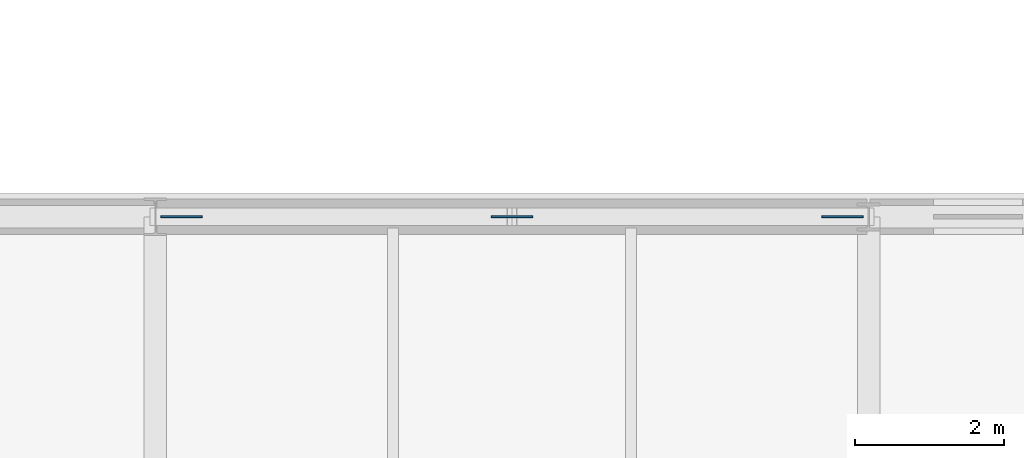
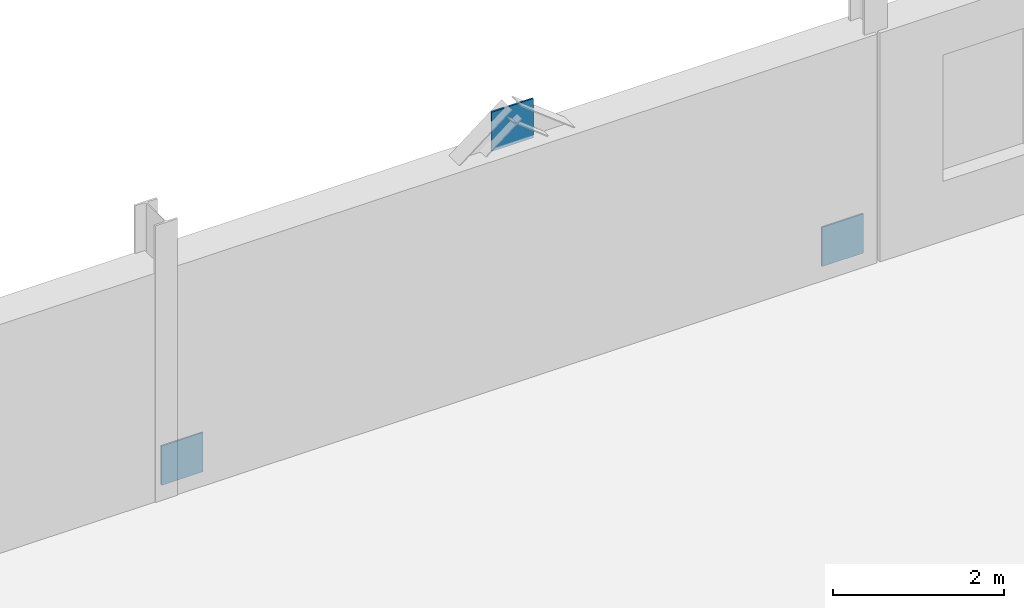
# One storey, part 57 of 78: 3 plates.
"""IFC4 building model written with IfcOpenShell, lengths in metres."""

from ifc_helpers import new_model, si_unit, direction, frame, origin, origin_2d, place, context, subcontext, project, spatial, rectangle, extrude, material, layer, layer_set, type_object, element, save


model = new_model("IFC4")

# Units and contexts
model_context = context("Model", 3, precision=1e-05, world=origin(), true_north=direction((0.0, 1.0)))
body_context = subcontext(model_context, "Body", "Model", "MODEL_VIEW")
ifc_project = project(units=[si_unit("LENGTHUNIT", "METRE"), si_unit("AREAUNIT", "SQUARE_METRE"), si_unit("VOLUMEUNIT", "CUBIC_METRE"), si_unit("PLANEANGLEUNIT", "RADIAN"), si_unit("MASSUNIT", "GRAM", prefix="KILO")], contexts=[model_context])

# Site, building, storey
site_placement = place(None, origin())
site = spatial("IfcSite", under=ifc_project, at=site_placement, CompositionType="ELEMENT")
building_placement = place(site_placement, origin())
building = spatial("IfcBuilding", under=site, at=building_placement, Name="Alderhovde Museum", CompositionType="ELEMENT")
storey_placement = place(building_placement, frame((0.0, 0.0, 4.5)))
storey = spatial("IfcBuildingStorey", under=building, at=storey_placement, Name="L01", CompositionType="ELEMENT", Elevation=4.5)

# Plates
ifc_material = material(Name="Steel S355J2", Category="steel")
ifc_layer = layer(ifc_material, 0.02197265625)
ifc_layer_set = layer_set([ifc_layer], Name="Steel S355J2")
plate_type = type_object("IfcPlateType", Name="PLT-GUSSET-22", PredefinedType="USERDEFINED", material=ifc_layer_set)
for number, where, z_axis, x_axis, name in (
    (1, (125.14990234375, 96.0, 0.02001953125), (0.0, 0.0, 1.0), (1.0, 0.0, 0.0), "L01 Brace End Gusset Plate BR-V5-N-BL"),
    (2, (134.050048828125, 96.0, 0.02001953125), (0.0, 0.0, 1.0), (1.0, 0.0, 0.0), "L01 Brace End Gusset Plate BR-V5-N-BR"),
    (3, (129.60009765625, 96.0, 3.219970703125), (0.0, 0.0, 1.0), (1.0, 0.0, 0.0), "L01 Brace End Gusset Plate BR-V5-N-APX"),
):
    element("IfcPlate", number, at=place(storey_placement, frame(where, z_axis=z_axis, x_axis=x_axis)), inside=storey, type_object=plate_type, Name=name, ObjectType="GUSSET PLATE", PredefinedType="USERDEFINED", context=body_context, shape_type="SweptSolid", body=[
        extrude(rectangle(XDim=0.56005859375, YDim=0.02197265625, at=origin_2d()), origin(), (0.0, 0.0, 1.0), 0.56005859375),
    ])

save(model, "model.ifc")
